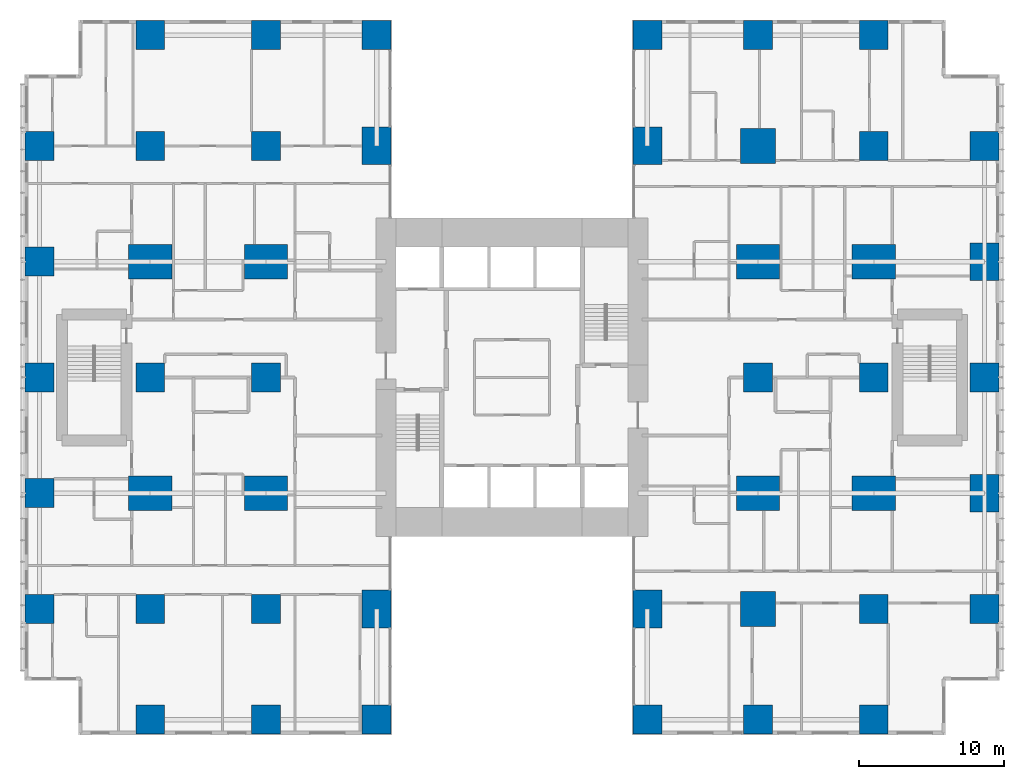
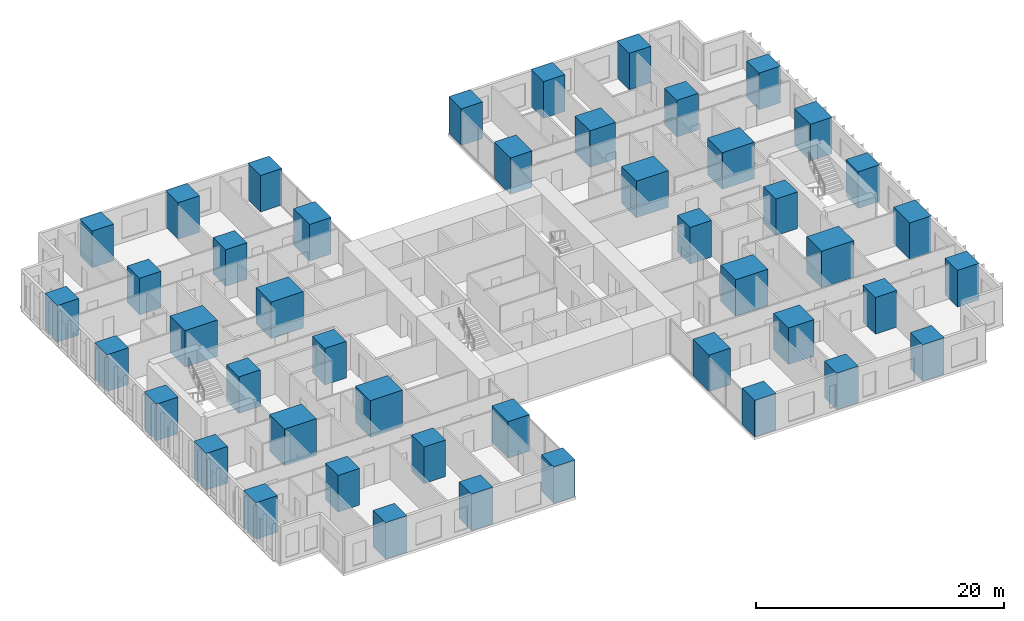
# One storey, part 1 of 20: 46 columns.
"""IFC4 building model written with IfcOpenShell, lengths in metres."""

from ifc_helpers import new_model, si_unit, direction, frame, origin, origin_2d, place, context, subcontext, project, spatial, rectangle, extrude, material, material_profile, profile_set, type_object, element, save


model = new_model("IFC4")

# Units and contexts
model_context = context("Model", 3, precision=1e-05, world=origin(), true_north=direction((0.0, 1.0)))
body_context = subcontext(model_context, "Body", "Model", "MODEL_VIEW")
ifc_project = project(units=[si_unit("LENGTHUNIT", "METRE"), si_unit("AREAUNIT", "SQUARE_METRE"), si_unit("VOLUMEUNIT", "CUBIC_METRE"), si_unit("PLANEANGLEUNIT", "RADIAN"), si_unit("MASSUNIT", "GRAM", prefix="KILO")], contexts=[model_context])

# Site, building, storey
site_placement = place(None, origin())
site = spatial("IfcSite", under=ifc_project, at=site_placement, CompositionType="ELEMENT")
building_placement = place(site_placement, origin())
building = spatial("IfcBuilding", under=site, at=building_placement, Name="Cleftline Residences", CompositionType="ELEMENT")
storey_placement = place(building_placement, frame((0.0, 0.0, 146.60009765625)))
storey = spatial("IfcBuildingStorey", under=building, at=storey_placement, Name="L38", CompositionType="ELEMENT", Elevation=146.60009765625)

# Columns
ifc_material_1 = material(Name="Concrete B70", Category="concrete")
ifc_material_profile_1 = material_profile(ifc_material_1, rectangle(XDim=2.0, YDim=2.0, at=origin_2d()))
ifc_profile_set_1 = profile_set([ifc_material_profile_1], Name="Concrete B70")
column_type_1 = type_object("IfcColumnType", Name="COLUMN RC2000X2000", PredefinedType="COLUMN", material=ifc_profile_set_1)
for number, where, z_axis, x_axis, name in (
    (1, (0.35009765625, 8.0, 0.0), (0.0, 0.0, 1.0), (1.0, 0.0, 0.0), "Column D/3"),
    (2, (0.35009765625, 16.0, 0.0), (0.0, 0.0, 1.0), (1.0, 0.0, 0.0), "Column E/3"),
    (3, (0.35009765625, 24.0, 0.0), (0.0, 0.0, 1.0), (1.0, 0.0, 0.0), "Column F/3"),
    (4, (0.35009765625, 32.0, 0.0), (0.0, 0.0, 1.0), (1.0, 0.0, 0.0), "Column G/3"),
    (5, (0.35009765625, 40.0, 0.0), (0.0, 0.0, 1.0), (1.0, 0.0, 0.0), "Column H/3"),
    (6, (8.0, 0.35009765625, 0.0), (0.0, 0.0, 1.0), (1.0, 0.0, 0.0), "Column C/4"),
    (7, (8.0, 8.0, 0.0), (0.0, 0.0, 1.0), (1.0, 0.0, 0.0), "Column D/4"),
    (8, (8.0, 24.0, 0.0), (0.0, 0.0, 1.0), (1.0, 0.0, 0.0), "Column F/4"),
    (9, (8.0, 40.0, 0.0), (0.0, 0.0, 1.0), (1.0, 0.0, 0.0), "Column H/4"),
    (10, (8.0, 47.64990234375, 0.0), (0.0, 0.0, 1.0), (1.0, 0.0, 0.0), "Column J/4"),
    (11, (16.0, 0.35009765625, 0.0), (0.0, 0.0, 1.0), (1.0, 0.0, 0.0), "Column C/5"),
    (12, (16.0, 8.0, 0.0), (0.0, 0.0, 1.0), (1.0, 0.0, 0.0), "Column D/5"),
    (13, (16.0, 24.0, 0.0), (0.0, 0.0, 1.0), (1.0, 0.0, 0.0), "Column F/5"),
    (14, (16.0, 40.0, 0.0), (0.0, 0.0, 1.0), (1.0, 0.0, 0.0), "Column H/5"),
    (15, (16.0, 47.64990234375, 0.0), (0.0, 0.0, 1.0), (1.0, 0.0, 0.0), "Column J/5"),
    (16, (23.64990234375, 0.35009765625, 0.0), (0.0, 0.0, 1.0), (1.0, 0.0, 0.0), "Column C/6"),
    (17, (23.64990234375, 47.64990234375, 0.0), (0.0, 0.0, 1.0), (1.0, 0.0, 0.0), "Column J/6"),
    (18, (42.35009765625, 0.35009765625, 0.0), (0.0, 0.0, 1.0), (1.0, 0.0, 0.0), "Column C/8"),
    (19, (42.35009765625, 47.64990234375, 0.0), (0.0, 0.0, 1.0), (1.0, 0.0, 0.0), "Column J/8"),
    (20, (50.0, 0.35009765625, 0.0), (0.0, 0.0, 1.0), (1.0, 0.0, 0.0), "Column C/9"),
    (21, (50.0, 24.0, 0.0), (0.0, 0.0, 1.0), (1.0, 0.0, 0.0), "Column F/9"),
    (22, (50.0, 47.64990234375, 0.0), (0.0, 0.0, 1.0), (1.0, 0.0, 0.0), "Column J/9"),
    (23, (58.0, 0.35009765625, 0.0), (0.0, 0.0, 1.0), (1.0, 0.0, 0.0), "Column C/10"),
    (24, (58.0, 8.0, 0.0), (0.0, 0.0, 1.0), (1.0, 0.0, 0.0), "Column D/10"),
    (25, (58.0, 24.0, 0.0), (0.0, 0.0, 1.0), (1.0, 0.0, 0.0), "Column F/10"),
    (26, (58.0, 40.0, 0.0), (0.0, 0.0, 1.0), (1.0, 0.0, 0.0), "Column H/10"),
    (27, (58.0, 47.64990234375, 0.0), (0.0, 0.0, 1.0), (1.0, 0.0, 0.0), "Column J/10"),
    (28, (65.64990234375, 8.0, 0.0), (0.0, 0.0, 1.0), (1.0, 0.0, 0.0), "Column D/11"),
    (29, (65.64990234375, 24.0, 0.0), (0.0, 0.0, 1.0), (1.0, 0.0, 0.0), "Column F/11"),
    (30, (65.64990234375, 40.0, 0.0), (0.0, 0.0, 1.0), (1.0, 0.0, 0.0), "Column H/11"),
):
    element("IfcColumn", number, at=place(storey_placement, frame(where, z_axis=z_axis, x_axis=x_axis)), inside=storey, type_object=column_type_1, Name=name, PredefinedType="COLUMN", context=body_context, shape_type="SweptSolid", body=[
        extrude(rectangle(XDim=2.0, YDim=2.0, at=origin_2d()), origin(), (0.0, 0.0, 1.0), 3.599853515625),
    ])
ifc_material_2 = material(Name="Concrete B70", Category="concrete")
ifc_material_profile_2 = material_profile(ifc_material_2, rectangle(XDim=2.0, YDim=2.60009765625, at=origin_2d()))
ifc_profile_set_2 = profile_set([ifc_material_profile_2], Name="Concrete B70")
column_type_2 = type_object("IfcColumnType", Name="COLUMN RC2000X2600", PredefinedType="COLUMN", material=ifc_profile_set_2)
for number, where, z_axis, x_axis, name in (
    (31, (23.64990234375, 8.0, 0.0), (0.0, 0.0, 1.0), (1.0, 0.0, 0.0), "Column D/6"),
    (32, (23.64990234375, 40.0, 0.0), (0.0, 0.0, 1.0), (1.0, 0.0, 0.0), "Column H/6"),
    (33, (42.35009765625, 8.0, 0.0), (0.0, 0.0, 1.0), (1.0, 0.0, 0.0), "Column D/8"),
    (34, (42.35009765625, 40.0, 0.0), (0.0, 0.0, 1.0), (1.0, 0.0, 0.0), "Column H/8"),
):
    element("IfcColumn", number, at=place(storey_placement, frame(where, z_axis=z_axis, x_axis=x_axis)), inside=storey, type_object=column_type_2, Name=name, PredefinedType="COLUMN", context=body_context, shape_type="SweptSolid", body=[
        extrude(rectangle(XDim=2.0, YDim=2.60009765625, at=origin_2d()), origin(), (0.0, 0.0, 1.0), 3.599853515625),
    ])
ifc_material_3 = material(Name="Concrete B70", Category="concrete")
ifc_material_profile_3 = material_profile(ifc_material_3, rectangle(XDim=2.39990234375, YDim=2.39990234375, at=origin_2d()))
ifc_profile_set_3 = profile_set([ifc_material_profile_3], Name="Concrete B70")
column_type_3 = type_object("IfcColumnType", Name="COLUMN RC2400X2400", PredefinedType="COLUMN", material=ifc_profile_set_3)
for number, where, z_axis, x_axis, name in (
    (35, (50.0, 8.0, 0.0), (0.0, 0.0, 1.0), (1.0, 0.0, 0.0), "Column D/9"),
    (36, (50.0, 40.0, 0.0), (0.0, 0.0, 1.0), (1.0, 0.0, 0.0), "Column H/9"),
):
    element("IfcColumn", number, at=place(storey_placement, frame(where, z_axis=z_axis, x_axis=x_axis)), inside=storey, type_object=column_type_3, Name=name, PredefinedType="COLUMN", context=body_context, shape_type="SweptSolid", body=[
        extrude(rectangle(XDim=2.39990234375, YDim=2.39990234375, at=origin_2d()), origin(), (0.0, 0.0, 1.0), 3.599853515625),
    ])
ifc_material_4 = material(Name="Concrete B70", Category="concrete")
ifc_material_profile_4 = material_profile(ifc_material_4, rectangle(XDim=2.60009765625, YDim=2.0, at=origin_2d()))
ifc_profile_set_4 = profile_set([ifc_material_profile_4], Name="Concrete B70")
column_type_4 = type_object("IfcColumnType", Name="COLUMN RC2600X2000", PredefinedType="COLUMN", material=ifc_profile_set_4)
for number, where, z_axis, x_axis, name in (
    (37, (65.64990234375, 16.0, 0.0), (0.0, 0.0, 1.0), (0.0, 1.0, 0.0), "Column E/11"),
    (38, (65.64990234375, 32.0, 0.0), (0.0, 0.0, 1.0), (0.0, 1.0, 0.0), "Column G/11"),
):
    element("IfcColumn", number, at=place(storey_placement, frame(where, z_axis=z_axis, x_axis=x_axis)), inside=storey, type_object=column_type_4, Name=name, PredefinedType="COLUMN", context=body_context, shape_type="SweptSolid", body=[
        extrude(rectangle(XDim=2.60009765625, YDim=2.0, at=origin_2d()), origin(), (0.0, 0.0, 1.0), 3.599853515625),
    ])
ifc_material_5 = material(Name="Concrete B70", Category="concrete")
ifc_material_profile_5 = material_profile(ifc_material_5, rectangle(XDim=3.0, YDim=2.39990234375, at=origin_2d()))
ifc_profile_set_5 = profile_set([ifc_material_profile_5], Name="Concrete B70")
column_type_5 = type_object("IfcColumnType", Name="COLUMN RC3000X2400", PredefinedType="COLUMN", material=ifc_profile_set_5)
for number, where, z_axis, x_axis, name in (
    (39, (8.0, 16.0, 0.0), (0.0, 0.0, 1.0), (1.0, 0.0, 0.0), "Column E/4"),
    (40, (8.0, 32.0, 0.0), (0.0, 0.0, 1.0), (1.0, 0.0, 0.0), "Column G/4"),
    (41, (16.0, 16.0, 0.0), (0.0, 0.0, 1.0), (1.0, 0.0, 0.0), "Column E/5"),
    (42, (16.0, 32.0, 0.0), (0.0, 0.0, 1.0), (1.0, 0.0, 0.0), "Column G/5"),
    (43, (50.0, 16.0, 0.0), (0.0, 0.0, 1.0), (1.0, 0.0, 0.0), "Column E/9"),
    (44, (50.0, 32.0, 0.0), (0.0, 0.0, 1.0), (1.0, 0.0, 0.0), "Column G/9"),
    (45, (58.0, 16.0, 0.0), (0.0, 0.0, 1.0), (1.0, 0.0, 0.0), "Column E/10"),
    (46, (58.0, 32.0, 0.0), (0.0, 0.0, 1.0), (1.0, 0.0, 0.0), "Column G/10"),
):
    element("IfcColumn", number, at=place(storey_placement, frame(where, z_axis=z_axis, x_axis=x_axis)), inside=storey, type_object=column_type_5, Name=name, PredefinedType="COLUMN", context=body_context, shape_type="SweptSolid", body=[
        extrude(rectangle(XDim=3.0, YDim=2.39990234375, at=origin_2d()), origin(), (0.0, 0.0, 1.0), 3.599853515625),
    ])

save(model, "model.ifc")
